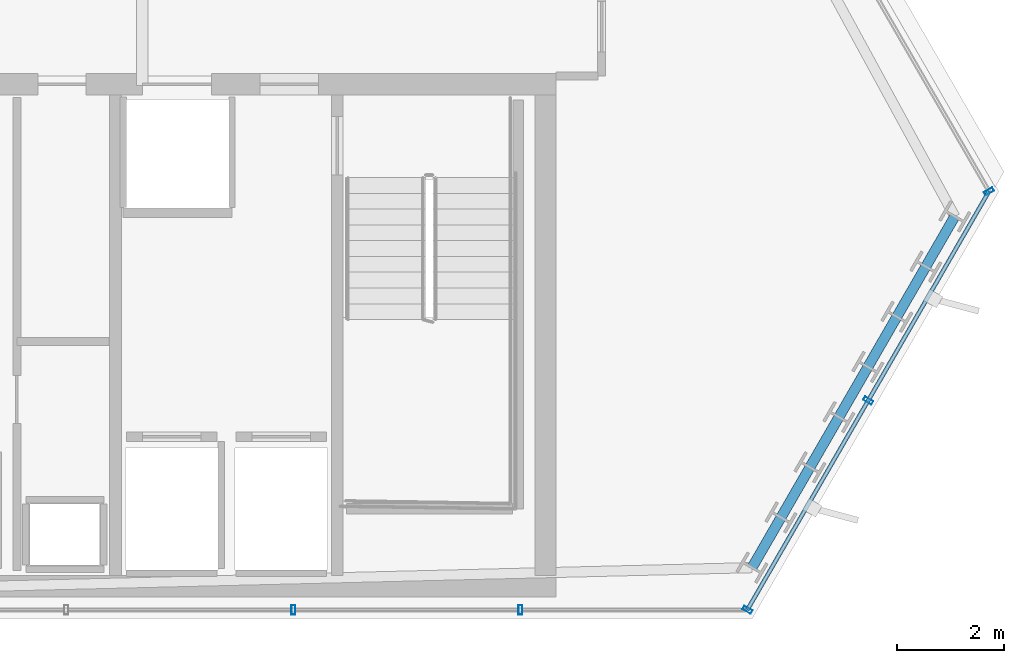
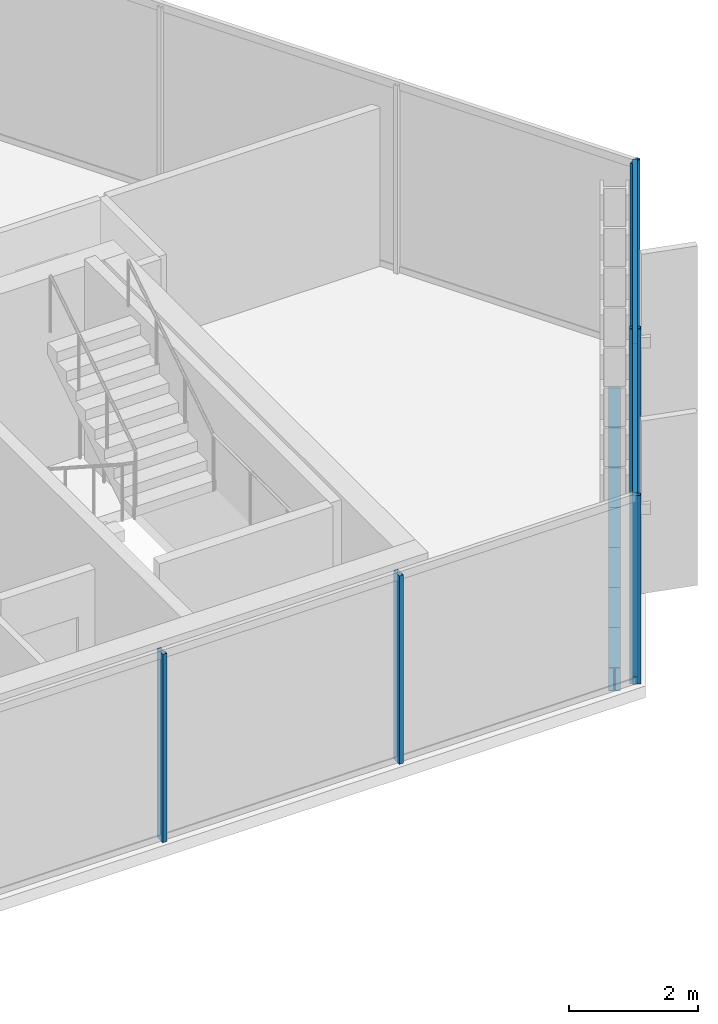
# One storey, part 14 of 34: 7 beams, 7 members, 3 elements without a shape of their own.
"""IFC4 building model written with IfcOpenShell, lengths in metres."""

from ifc_helpers import new_model, si_unit, direction, frame, origin, origin_2d, place, context, subcontext, project, spatial, hollow_rectangle, i_section, extrude, material, layer, layer_set, material_profile, profile_set, type_object, element, aggregate, save


model = new_model("IFC4")

# Units and contexts
model_context = context("Model", 3, precision=1e-05, world=origin(), true_north=direction((0.0, 1.0)))
body_context = subcontext(model_context, "Body", "Model", "MODEL_VIEW")
ifc_project = project(units=[si_unit("LENGTHUNIT", "METRE"), si_unit("AREAUNIT", "SQUARE_METRE"), si_unit("VOLUMEUNIT", "CUBIC_METRE"), si_unit("PLANEANGLEUNIT", "RADIAN"), si_unit("MASSUNIT", "GRAM", prefix="KILO")], contexts=[model_context])

# Site, building, storey
site_placement = place(None, origin())
site = spatial("IfcSite", under=ifc_project, at=site_placement, CompositionType="ELEMENT")
building_placement = place(site_placement, origin())
building = spatial("IfcBuilding", under=site, at=building_placement, Name="Ndaravel Arena Tower", CompositionType="ELEMENT")
storey_placement = place(building_placement, frame((0.0, 0.0, 191.60009765625)))
storey = spatial("IfcBuildingStorey", under=building, at=storey_placement, Name="L46", CompositionType="ELEMENT", Elevation=191.60009765625)

# Beams
ifc_material_1 = material(Name="Steel S355", Category="steel")
ifc_material_profile_1 = material_profile(ifc_material_1, i_section(OverallWidth=0.18994140625, OverallDepth=0.449951171875, WebThickness=0.009521484375, FlangeThickness=0.0146484375, FilletRadius=0.02099609375, at=origin_2d()), Name="IPE 450")
ifc_profile_set_1 = profile_set([ifc_material_profile_1], Name="Steel S355")
beam_type = type_object("IfcBeamType", Name="BM-SPAN-IPE450", PredefinedType="SPANDREL", material=ifc_profile_set_1)
beam_1_placement = place(storey_placement, frame((61.215087890625, 5.94970703125, -0.445068359375), z_axis=(0.499988774596, 0.866031884678, 0.0), x_axis=(-0.866031884678, 0.499988774596, 0.0)))
element("IfcBeam", 1, at=beam_1_placement, inside=storey, type_object=beam_type, Name="L46 Perimeter Spandrel Beam SP-02", PredefinedType="SPANDREL", context=body_context, shape_type="SweptSolid", body=[
    extrude(i_section(OverallWidth=0.18994140625, OverallDepth=0.449951171875, WebThickness=0.009521484375, FlangeThickness=0.0146484375, FilletRadius=0.02099609375, at=origin_2d()), origin(), (0.0, 0.0, 1.0), 1.08447265625),
])
beam_2_placement = place(storey_placement, frame((61.75732421875, 6.888916015625, -0.445068359375), z_axis=(0.50015758769, 0.86593440137, 0.0), x_axis=(-0.86593440137, 0.50015758769, 0.0)))
element("IfcBeam", 2, at=beam_2_placement, inside=storey, type_object=beam_type, Name="L46 Perimeter Spandrel Beam SP-03", PredefinedType="SPANDREL", context=body_context, shape_type="SweptSolid", body=[
    extrude(i_section(OverallWidth=0.18994140625, OverallDepth=0.449951171875, WebThickness=0.009521484375, FlangeThickness=0.0146484375, FilletRadius=0.02099609375, at=origin_2d()), origin(), (0.0, 0.0, 1.0), 1.084716796875),
])
beam_3_placement = place(storey_placement, frame((62.2998046875, 7.828125, -0.445068359375), z_axis=(0.499988774596, 0.866031884678, 0.0), x_axis=(-0.866031884678, 0.499988774596, 0.0)))
element("IfcBeam", 3, at=beam_3_placement, inside=storey, type_object=beam_type, Name="L46 Perimeter Spandrel Beam SP-04", PredefinedType="SPANDREL", context=body_context, shape_type="SweptSolid", body=[
    extrude(i_section(OverallWidth=0.18994140625, OverallDepth=0.449951171875, WebThickness=0.009521484375, FlangeThickness=0.0146484375, FilletRadius=0.02099609375, at=origin_2d()), origin(), (0.0, 0.0, 1.0), 1.08447265625),
])
beam_4_placement = place(storey_placement, frame((62.842041015625, 8.767333984375, -0.445068359375), z_axis=(0.499891312606, 0.866088145388, 0.0), x_axis=(-0.866088145388, 0.499891312606, 0.0)))
element("IfcBeam", 4, at=beam_4_placement, inside=storey, type_object=beam_type, Name="L46 Perimeter Spandrel Beam SP-05", PredefinedType="SPANDREL", context=body_context, shape_type="SweptSolid", body=[
    extrude(i_section(OverallWidth=0.18994140625, OverallDepth=0.449951171875, WebThickness=0.009521484375, FlangeThickness=0.0146484375, FilletRadius=0.02099609375, at=origin_2d()), origin(), (0.0, 0.0, 1.0), 1.084716796875),
])
for number, where, z_axis, x_axis, name in (
    (5, (63.38427734375, 9.706787109375, -0.445068359375), (0.499988774596, 0.866031884678, 0.0), (-0.866031884678, 0.499988774596, 0.0), "L46 Perimeter Spandrel Beam SP-06"),
    (6, (63.926513671875, 10.64599609375, -0.445068359375), (0.499988774596, 0.866031884678, 0.0), (-0.866031884678, 0.499988774596, 0.0), "L46 Perimeter Spandrel Beam SP-07"),
    (7, (64.46875, 11.585205078125, -0.445068359375), (0.499988774596, 0.866031884678, 0.0), (-0.866031884678, 0.499988774596, 0.0), "L46 Perimeter Spandrel Beam SP-08"),
):
    element("IfcBeam", number, at=place(storey_placement, frame(where, z_axis=z_axis, x_axis=x_axis)), inside=storey, type_object=beam_type, Name=name, PredefinedType="SPANDREL", context=body_context, shape_type="SweptSolid", body=[
        extrude(i_section(OverallWidth=0.18994140625, OverallDepth=0.449951171875, WebThickness=0.009521484375, FlangeThickness=0.0146484375, FilletRadius=0.02099609375, at=origin_2d()), origin(), (0.0, 0.0, 1.0), 1.08447265625),
    ])

# Curtain wall, members
ifc_material_2 = material(Name="Aluminium", Category="aluminium")
ifc_layer_1 = layer(ifc_material_2, 0.179931640625)
ifc_layer_set_1 = layer_set([ifc_layer_1], Name="Aluminium")
curtain_wall_type_1 = type_object("IfcCurtainWallType", Name="CW-SYS-03", PredefinedType="NOTDEFINED", material=ifc_layer_set_1)
curtain_wall_1_placement = place(storey_placement, origin())
curtain_wall_1 = element("IfcCurtainWall", 8, at=curtain_wall_1_placement, inside=storey, type_object=curtain_wall_type_1, Name="L46 Faceted Crystal Curtain Wall CW-L46-E01", PredefinedType="NOTDEFINED")
ifc_material_3 = material(Name="Aluminium", Category="aluminium")
ifc_material_profile_2 = material_profile(ifc_material_3, hollow_rectangle(XDim=0.074951171875, YDim=0.179931640625, WallThickness=0.00390625, at=origin_2d()), Name="CW MULLION 75x180x4")
ifc_profile_set_2 = profile_set([ifc_material_profile_2], Name="Aluminium")
member_type_1 = type_object("IfcMemberType", Name="MEM-CW-MUL180", PredefinedType="MULLION", material=ifc_profile_set_2)
member_1_placement = place(storey_placement, frame((52.627197265625, 5.159912109375, 0.0), z_axis=(0.0, 0.0, 1.0), x_axis=(1.0, 0.0, 0.0)))
member_1 = element("IfcMember", 9, at=member_1_placement, type_object=member_type_1, Name="CW-L46-E01 Mullion 07", PredefinedType="MULLION", context=body_context, shape_type="SweptSolid", body=[
    extrude(hollow_rectangle(XDim=0.074951171875, YDim=0.179931640625, WallThickness=0.00390625, at=origin_2d()), origin(), (0.0, 0.0, 1.0), 3.579833984375),
])
member_2_placement = place(storey_placement, frame((56.8779296875, 5.159912109375, 0.0), z_axis=(0.0, 0.0, 1.0), x_axis=(1.0, 0.0, 0.0)))
member_2 = element("IfcMember", 10, at=member_2_placement, type_object=member_type_1, Name="CW-L46-E01 Mullion 08", PredefinedType="MULLION", context=body_context, shape_type="SweptSolid", body=[
    extrude(hollow_rectangle(XDim=0.074951171875, YDim=0.179931640625, WallThickness=0.00390625, at=origin_2d()), origin(), (0.0, 0.0, 1.0), 3.579833984375),
])
aggregate(curtain_wall_1, [member_1, member_2])

ifc_material_4 = material(Name="Aluminium", Category="aluminium")
ifc_layer_2 = layer(ifc_material_4, 0.179931640625)
ifc_layer_set_2 = layer_set([ifc_layer_2], Name="Aluminium")
curtain_wall_type_2 = type_object("IfcCurtainWallType", Name="CW-SYS-01", PredefinedType="NOTDEFINED", material=ifc_layer_set_2)
curtain_wall_2_placement = place(storey_placement, origin())
curtain_wall_2 = element("IfcCurtainWall", 11, at=curtain_wall_2_placement, inside=storey, type_object=curtain_wall_type_2, Name="L46 Faceted Crystal Curtain Wall CW-L46-E02", PredefinedType="NOTDEFINED")
member_3_placement = place(storey_placement, frame((61.128662109375, 5.159912109375, 0.0), z_axis=(0.0, 0.0, 1.0), x_axis=(0.5, 0.866025403784, 0.0)))
member_3 = element("IfcMember", 12, at=member_3_placement, type_object=member_type_1, Name="CW-L46-E02 Mullion 00", PredefinedType="MULLION", context=body_context, shape_type="SweptSolid", body=[
    extrude(hollow_rectangle(XDim=0.074951171875, YDim=0.179931640625, WallThickness=0.00390625, at=origin_2d()), origin(), (0.0, 0.0, 1.0), 3.579833984375),
])
member_4_placement = place(storey_placement, frame((63.39013671875, 9.076904296875, 0.0), z_axis=(0.0, 0.0, 1.0), x_axis=(0.5, 0.866025403784, 0.0)))
member_4 = element("IfcMember", 13, at=member_4_placement, type_object=member_type_1, Name="CW-L46-E02 Mullion 01", PredefinedType="MULLION", context=body_context, shape_type="SweptSolid", body=[
    extrude(hollow_rectangle(XDim=0.074951171875, YDim=0.179931640625, WallThickness=0.00390625, at=origin_2d()), origin(), (0.0, 0.0, 1.0), 3.579833984375),
])

# Curtain wall, member
curtain_wall_3_placement = place(storey_placement, origin())
curtain_wall_3 = element("IfcCurtainWall", 14, at=curtain_wall_3_placement, inside=storey, type_object=curtain_wall_type_1, Name="L46 Faceted Crystal Curtain Wall CW-L46-E03", PredefinedType="NOTDEFINED")
member_5_placement = place(storey_placement, frame((65.651611328125, 12.994140625, 0.0), z_axis=(0.0, 0.0, 1.0), x_axis=(-0.5, 0.866025403784, 0.0)))
member_5 = element("IfcMember", 15, at=member_5_placement, type_object=member_type_1, Name="CW-L46-E03 Mullion 00", PredefinedType="MULLION", context=body_context, shape_type="SweptSolid", body=[
    extrude(hollow_rectangle(XDim=0.074951171875, YDim=0.179931640625, WallThickness=0.00390625, at=origin_2d()), origin(), (0.0, 0.0, 1.0), 3.579833984375),
])
aggregate(curtain_wall_3, [member_5])

# Member
ifc_material_5 = material(Name="Aluminium", Category="aluminium")
ifc_material_profile_3 = material_profile(ifc_material_5, hollow_rectangle(XDim=0.074951171875, YDim=0.14990234375, WallThickness=0.00390625, at=origin_2d()), Name="CW TRANSOM 75x150x4")
ifc_profile_set_3 = profile_set([ifc_material_profile_3], Name="Aluminium")
member_type_2 = type_object("IfcMemberType", Name="MEM-CW-TRN150", PredefinedType="USERDEFINED", material=ifc_profile_set_3)
member_6_placement = place(storey_placement, frame((61.128662109375, 5.159912109375, 0.039794921875), z_axis=(0.49998800113, 0.866032331224, 0.0), x_axis=(-0.866032331224, 0.49998800113, 0.0)))
member_6 = element("IfcMember", 16, at=member_6_placement, type_object=member_type_2, Name="CW-L46-E02 Transom 01", ObjectType="TRANSOM", PredefinedType="USERDEFINED", context=body_context, shape_type="SweptSolid", body=[
    extrude(hollow_rectangle(XDim=0.074951171875, YDim=0.14990234375, WallThickness=0.00390625, at=origin_2d()), origin(), (0.0, 0.0, 1.0), 9.046142578125),
])

member_7_placement = place(storey_placement, frame((61.128662109375, 5.159912109375, 3.539794921875), z_axis=(0.49998800113, 0.866032331224, 0.0), x_axis=(-0.866032331224, 0.49998800113, 0.0)))
member_7 = element("IfcMember", 17, at=member_7_placement, type_object=member_type_2, Name="CW-L46-E02 Transom 02", ObjectType="TRANSOM", PredefinedType="USERDEFINED", context=body_context, shape_type="SweptSolid", body=[
    extrude(hollow_rectangle(XDim=0.074951171875, YDim=0.14990234375, WallThickness=0.00390625, at=origin_2d()), origin(), (0.0, 0.0, 1.0), 9.046142578125),
])

aggregate(curtain_wall_2, [member_3, member_4, member_6, member_7])

save(model, "model.ifc")
